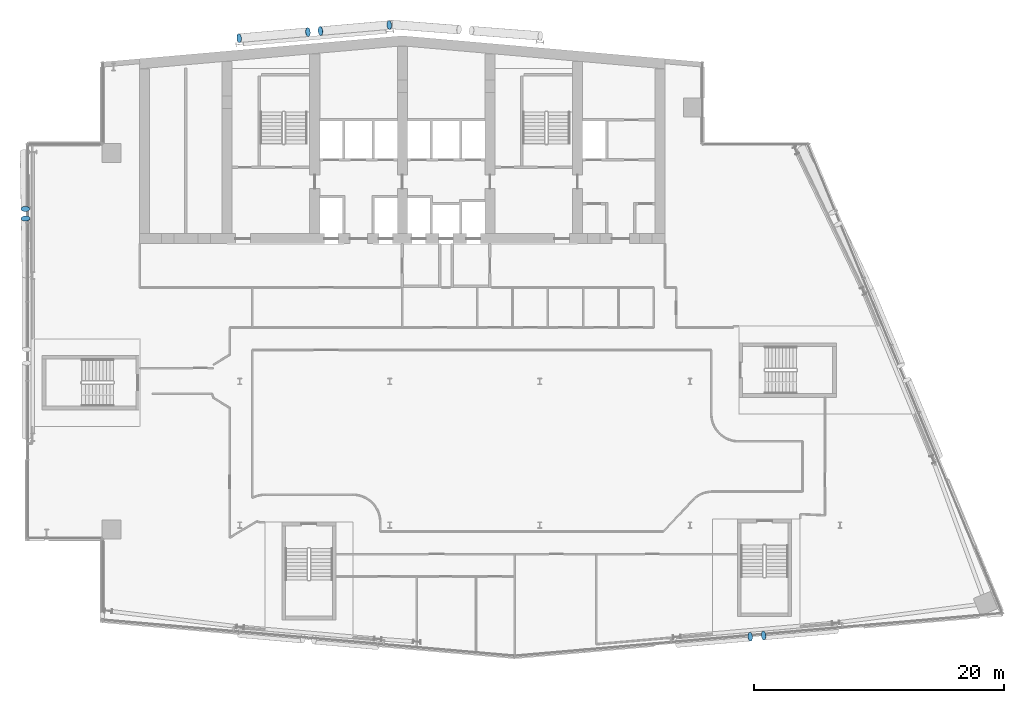
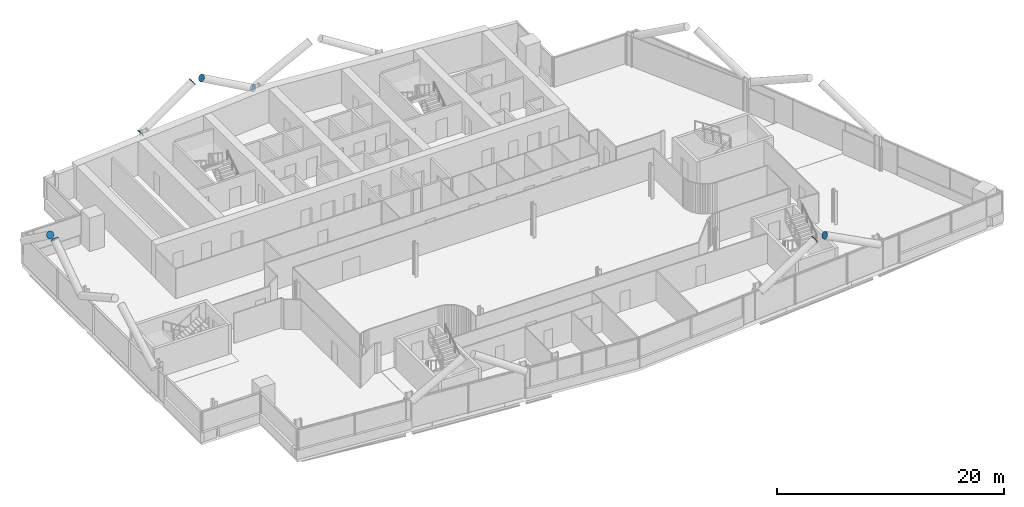
# One storey, part 24 of 29: 8 discrete accessories.
"""IFC4 building model written with IfcOpenShell, lengths in metres."""

from ifc_helpers import new_model, si_unit, direction, frame, origin, origin_2d, place, context, subcontext, project, spatial, circle, extrude, material, material_profile, profile_set, type_object, element, save


model = new_model("IFC4")

# Units and contexts
model_context = context("Model", 3, precision=1e-05, world=origin(), true_north=direction((0.0, 1.0)))
body_context = subcontext(model_context, "Body", "Model", "MODEL_VIEW")
ifc_project = project(units=[si_unit("LENGTHUNIT", "METRE"), si_unit("AREAUNIT", "SQUARE_METRE"), si_unit("VOLUMEUNIT", "CUBIC_METRE"), si_unit("PLANEANGLEUNIT", "RADIAN"), si_unit("MASSUNIT", "GRAM", prefix="KILO")], contexts=[model_context])

# Site, building, storey
site_placement = place(None, origin())
site = spatial("IfcSite", under=ifc_project, at=site_placement, CompositionType="ELEMENT")
building_placement = place(site_placement, origin())
building = spatial("IfcBuilding", under=site, at=building_placement, Name="Wharfspan Tower", CompositionType="ELEMENT")
storey_placement = place(building_placement, frame((0.0, 0.0, 155.5)))
storey = spatial("IfcBuildingStorey", under=building, at=storey_placement, Name="L37", CompositionType="ELEMENT", Elevation=155.5)

# Discrete accessories
ifc_material = material(Name="Steel S460NH", Category="steel")
ifc_material_profile = material_profile(ifc_material, circle(Radius=0.355469, at=origin_2d()))
ifc_profile_set = profile_set([ifc_material_profile], Name="Steel S460NH")
discrete_accessory_type = type_object("IfcDiscreteAccessoryType", Name="End plate CHS 711x36", PredefinedType="BRACKET", material=ifc_profile_set)
for number, where, z_axis, x_axis, name in (
    (1, (64.812744, 2.578613, 6.192383), (0.871847, 0.072654, 0.484359), (-0.083044, 0.996547, -3e-06), "End plate CHS 711x36"),
    (2, (65.897949, 2.673584, 6.192383), (-0.871847, -0.072654, 0.484359), (0.083044, -0.996547, -3e-06), "End plate CHS 711x36"),
):
    element("IfcDiscreteAccessory", number, at=place(storey_placement, frame(where, z_axis=z_axis, x_axis=x_axis)), inside=storey, type_object=discrete_accessory_type, Name=name, PredefinedType="BRACKET", context=body_context, shape_type="SweptSolid", body=[
        extrude(circle(Radius=0.355469, at=origin_2d()), origin(), (0.0, 0.0, 1.0), 0.01001),
    ])
discrete_accessory_placement = place(storey_placement, frame((6.860352, 36.790771, 6.214844), z_axis=(0.0, -0.816968, 0.576683), x_axis=(1.0, 0.0, 0.0)))
element("IfcDiscreteAccessory", 3, at=discrete_accessory_placement, inside=storey, type_object=discrete_accessory_type, Name="End plate CHS 711x36", PredefinedType="BRACKET", context=body_context, shape_type="SweptSolid", body=[
    extrude(circle(Radius=0.355469, at=origin_2d()), origin(), (0.0, 0.0, 1.0), 0.010254),
])
for number, where, z_axis, x_axis, name in (
    (4, (6.872803, 36.009033, 6.214844), (-0.0245, 0.808493, 0.587995), (-0.999537, -0.03029, 1e-06), "End plate CHS 711x36"),
    (5, (23.947754, 50.437256, 2.894775), (0.855186, 0.073302, 0.513112), (-0.085402, 0.996345, 1e-06), "End plate CHS 711x36"),
    (6, (29.450928, 50.918701, 6.196777), (0.855186, 0.073302, 0.513112), (-0.085402, 0.996345, 1e-06), "End plate CHS 711x36"),
    (7, (35.964844, 51.488525, 2.894775), (-0.855186, -0.073302, 0.513112), (0.085402, -0.996345, 1e-06), "End plate CHS 711x36"),
    (8, (30.461426, 51.00708, 6.196777), (-0.855186, -0.073302, 0.513112), (0.085402, -0.996345, 1e-06), "End plate CHS 711x36"),
):
    element("IfcDiscreteAccessory", number, at=place(storey_placement, frame(where, z_axis=z_axis, x_axis=x_axis)), inside=storey, type_object=discrete_accessory_type, Name=name, PredefinedType="BRACKET", context=body_context, shape_type="SweptSolid", body=[
        extrude(circle(Radius=0.355469, at=origin_2d()), origin(), (0.0, 0.0, 1.0), 0.01001),
    ])

save(model, "model.ifc")
